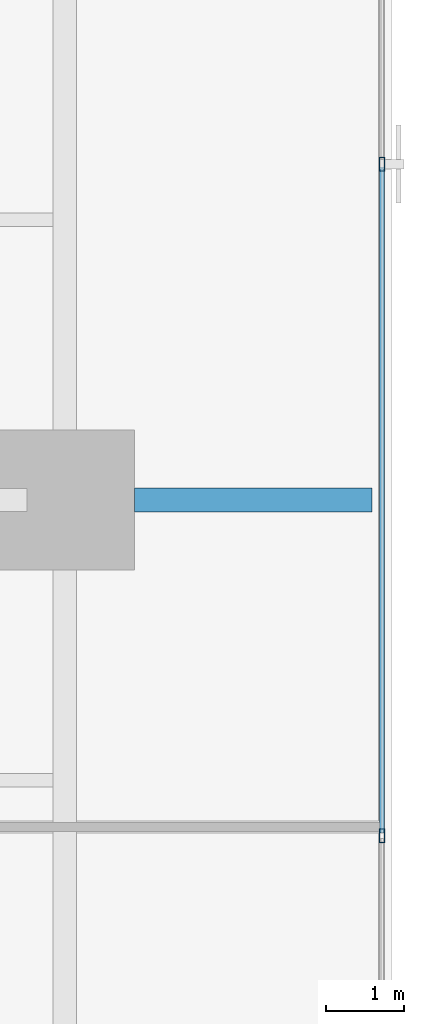
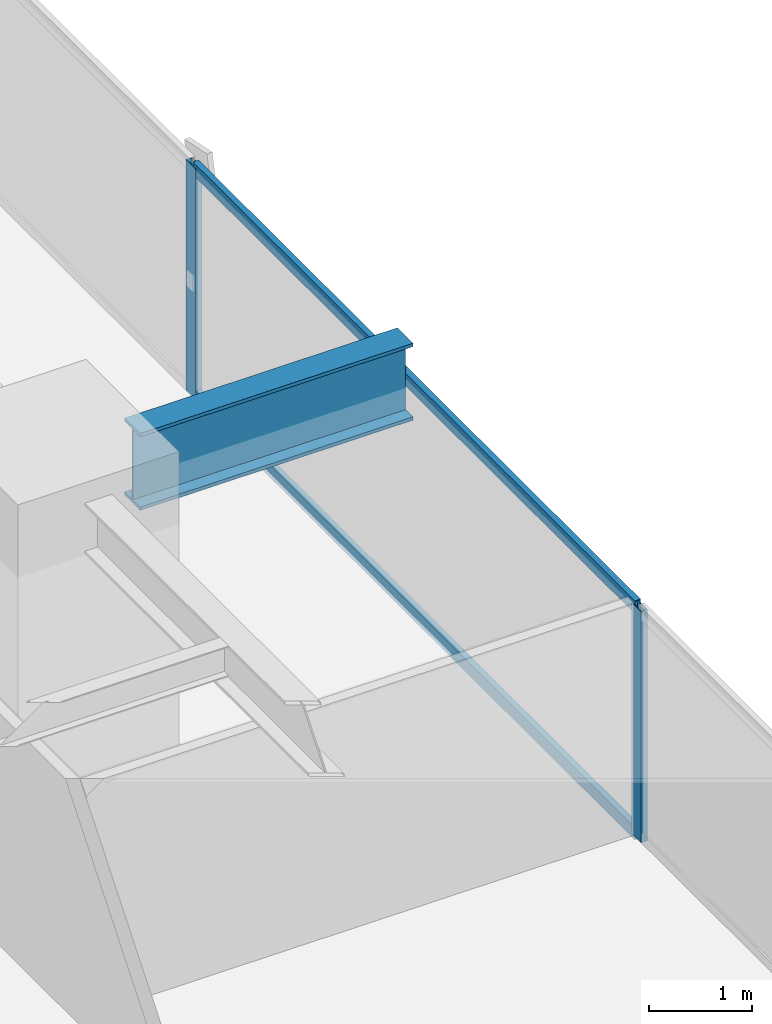
# One storey, part 15 of 33: 4 members, 1 beam, 1 element without a shape of its own.
"""IFC4 building model written with IfcOpenShell, lengths in metres."""

from ifc_helpers import new_model, si_unit, direction, frame, origin, origin_2d, place, context, subcontext, project, spatial, hollow_rectangle, i_section, extrude, source, transform, mapped, material, layer, layer_set, material_profile, profile_set, type_object, element, aggregate, save


model = new_model("IFC4")

# Units and contexts
model_context = context("Model", 3, precision=1e-05, world=origin(), true_north=direction((0.0, 1.0)))
body_context = subcontext(model_context, "Body", "Model", "MODEL_VIEW")
ifc_project = project(units=[si_unit("LENGTHUNIT", "METRE"), si_unit("AREAUNIT", "SQUARE_METRE"), si_unit("VOLUMEUNIT", "CUBIC_METRE"), si_unit("PLANEANGLEUNIT", "RADIAN"), si_unit("MASSUNIT", "GRAM", prefix="KILO")], contexts=[model_context])

# Site, building, storey
site_placement = place(None, origin())
site = spatial("IfcSite", under=ifc_project, at=site_placement, CompositionType="ELEMENT")
building_placement = place(site_placement, origin())
building = spatial("IfcBuilding", under=site, at=building_placement, Name="Sumidabori Civic Tower", CompositionType="ELEMENT")
storey_placement = place(building_placement, frame((0.0, 0.0, 30.800048828125)))
storey = spatial("IfcBuildingStorey", under=building, at=storey_placement, Name="L07", CompositionType="ELEMENT", Elevation=30.800048828125)

# Beam
ifc_material_1 = material(Name="Steel SN490", Category="steel")
ifc_material_profile_1 = material_profile(ifc_material_1, i_section(OverallWidth=0.302001953125, OverallDepth=0.909912109375, WebThickness=0.02099609375, FlangeThickness=0.0400390625, at=origin_2d()), Name="HE 900 M")
ifc_profile_set_1 = profile_set([ifc_material_profile_1], Name="Steel SN490")
beam_type = type_object("IfcBeamType", Name="BM-Z1-EDGE", PredefinedType="SPANDREL", material=ifc_profile_set_1)
shared_shape_1 = source(origin(), body_context, "Body", "SweptSolid", [
    extrude(i_section(OverallWidth=0.302001953125, OverallDepth=0.909912109375, WebThickness=0.02099609375, FlangeThickness=0.0400390625, at=origin_2d()), origin(), (0.0, 0.0, 1.0), 3.050048828125),
])
beam_placement = place(storey_placement, frame((23.699951171875, 0.0, 2.905029296875), z_axis=(1.0, 0.0, 0.0), x_axis=(0.0, 1.0, 0.0)))
element("IfcBeam", 1, at=beam_placement, inside=storey, type_object=beam_type, Name="Perimeter Overhang Beam L07 E-45", PredefinedType="SPANDREL", context=body_context, shape_type="MappedRepresentation", body=[
    mapped(shared_shape_1, transform((0.0, 0.0, 0.0), x_axis=(1.0, 0.0, 0.0), y_axis=(0.0, 1.0, 0.0), z_axis=(0.0, 0.0, 1.0), scale=1.0)),
])

# Curtain wall, members
ifc_material_2 = material(Name="Anodised Bronze Aluminium AW-6063-T6", Category="aluminium")
ifc_layer = layer(ifc_material_2, 0.179931640625, Name="Anodised Bronze Aluminium AW-6063-T6")
ifc_layer_set = layer_set([ifc_layer], Name="Anodised Bronze Aluminium AW-6063-T6")
curtain_wall_type = type_object("IfcCurtainWallType", Name="CW-SYS-2", PredefinedType="NOTDEFINED", material=ifc_layer_set)
curtain_wall_placement = place(storey_placement, origin())
curtain_wall = element("IfcCurtainWall", 2, at=curtain_wall_placement, inside=storey, type_object=curtain_wall_type, Name="Curtain Wall CW:L07:R04", PredefinedType="NOTDEFINED")
ifc_material_profile_2 = material_profile(ifc_material_2, hollow_rectangle(XDim=0.070068359375, YDim=0.179931640625, WallThickness=0.006103515625, at=origin_2d()), Name="ALU MULLION 180x70")
ifc_profile_set_2 = profile_set([ifc_material_profile_2], Name="Anodised Bronze Aluminium AW-6063-T6")
member_type_1 = type_object("IfcMemberType", Name="CW-MUL-180", PredefinedType="MULLION", material=ifc_profile_set_2)
shared_shape_2 = source(origin(), body_context, "Body", "SweptSolid", [
    extrude(hollow_rectangle(XDim=0.070068359375, YDim=0.179931640625, WallThickness=0.006103515625, at=origin_2d()), origin(), (0.0, 0.0, 1.0), 2.739990234375),
])
member_1_placement = place(storey_placement, frame((26.8798828125, -4.31396484375, 0.0), z_axis=(0.0, 0.0, 1.0), x_axis=(-1.0, 0.0, 0.0)))
member_1 = element("IfcMember", 3, at=member_1_placement, type_object=member_type_1, Name="CW-2 mullion 3", PredefinedType="MULLION", context=body_context, shape_type="MappedRepresentation", body=[
    mapped(shared_shape_2, transform((0.0, 0.0, 0.0), x_axis=(1.0, 0.0, 0.0), y_axis=(0.0, 1.0, 0.0), z_axis=(0.0, 0.0, 1.0), scale=1.0)),
])
member_2_placement = place(storey_placement, frame((26.8798828125, 4.31396484375, 0.0), z_axis=(0.0, 0.0, 1.0), x_axis=(-1.0, 0.0, 0.0)))
member_2 = element("IfcMember", 4, at=member_2_placement, type_object=member_type_1, Name="CW-2 mullion 4", PredefinedType="MULLION", context=body_context, shape_type="MappedRepresentation", body=[
    mapped(shared_shape_2, transform((0.0, 0.0, 0.0), x_axis=(1.0, 0.0, 0.0), y_axis=(0.0, 1.0, 0.0), z_axis=(0.0, 0.0, 1.0), scale=1.0)),
])
ifc_material_profile_3 = material_profile(ifc_material_2, hollow_rectangle(XDim=0.06494140625, YDim=0.14990234375, WallThickness=0.0048828125, at=origin_2d()), Name="ALU TRANSOM 150x65")
ifc_profile_set_3 = profile_set([ifc_material_profile_3], Name="Anodised Bronze Aluminium AW-6063-T6")
member_type_2 = type_object("IfcMemberType", Name="CW-TRN-150", PredefinedType="USERDEFINED", material=ifc_profile_set_3)
shared_shape_3 = source(origin(), body_context, "Body", "SweptSolid", [
    extrude(hollow_rectangle(XDim=0.06494140625, YDim=0.14990234375, WallThickness=0.0048828125, at=origin_2d()), origin(), (0.0, 0.0, 1.0), 8.55810546875),
])
member_3_placement = place(storey_placement, frame((26.8798828125, -4.279052734375, 0.032470703125), z_axis=(0.0, 1.0, 0.0), x_axis=(-1.0, 0.0, 0.0)))
member_3 = element("IfcMember", 5, at=member_3_placement, type_object=member_type_2, Name="CW-2 transom 3.1", ObjectType="TRANSOM", PredefinedType="USERDEFINED", context=body_context, shape_type="MappedRepresentation", body=[
    mapped(shared_shape_3, transform((0.0, 0.0, 0.0), x_axis=(1.0, 0.0, 0.0), y_axis=(0.0, 1.0, 0.0), z_axis=(0.0, 0.0, 1.0), scale=1.0)),
])
member_4_placement = place(storey_placement, frame((26.8798828125, -4.279052734375, 2.70751953125), z_axis=(0.0, 1.0, 0.0), x_axis=(-1.0, 0.0, 0.0)))
member_4 = element("IfcMember", 6, at=member_4_placement, type_object=member_type_2, Name="CW-2 transom 3.2", ObjectType="TRANSOM", PredefinedType="USERDEFINED", context=body_context, shape_type="MappedRepresentation", body=[
    mapped(shared_shape_3, transform((0.0, 0.0, 0.0), x_axis=(1.0, 0.0, 0.0), y_axis=(0.0, 1.0, 0.0), z_axis=(0.0, 0.0, 1.0), scale=1.0)),
])
aggregate(curtain_wall, [member_1, member_2, member_3, member_4])

save(model, "model.ifc")
